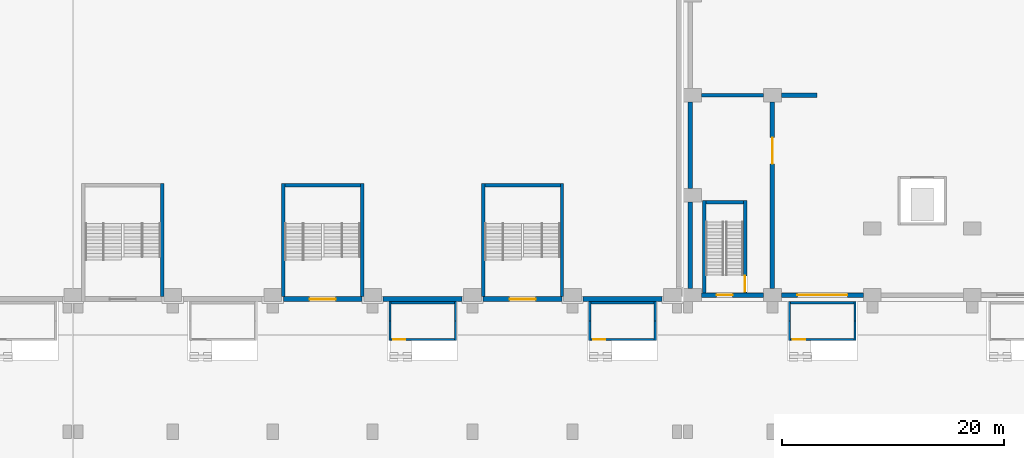
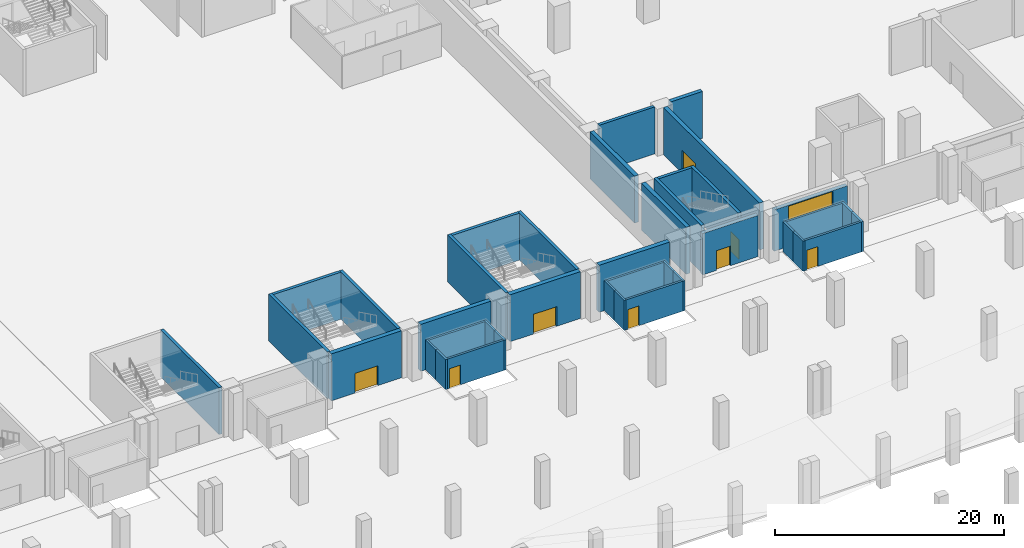
# One storey, part 38 of 77: 39 walls, 9 doors, 9 openings.
"""IFC4 building model written with IfcOpenShell, lengths in metres."""

from ifc_helpers import new_model, si_unit, direction, frame, frame_2d, origin, place, context, subcontext, project, spatial, rectangle, extrude, material, layer, layer_set, type_object, element, fill, save


model = new_model("IFC4")

# Units and contexts
model_context = context("Model", 3, precision=1e-05, world=origin(), true_north=direction((0.0, 1.0)))
body_context = subcontext(model_context, "Body", "Model", "MODEL_VIEW")
ifc_project = project(units=[si_unit("LENGTHUNIT", "METRE"), si_unit("AREAUNIT", "SQUARE_METRE"), si_unit("VOLUMEUNIT", "CUBIC_METRE"), si_unit("PLANEANGLEUNIT", "RADIAN"), si_unit("MASSUNIT", "GRAM", prefix="KILO")], contexts=[model_context])

# Site, building, storey
site_placement = place(None, origin())
site = spatial("IfcSite", under=ifc_project, at=site_placement, CompositionType="ELEMENT")
building_placement = place(site_placement, origin())
building = spatial("IfcBuilding", under=site, at=building_placement, Name="Aravalli Gate Trade Fair Centre", CompositionType="ELEMENT")
storey_placement = place(building_placement, origin())
storey = spatial("IfcBuildingStorey", under=building, at=storey_placement, Name="L00", CompositionType="ELEMENT", Elevation=0.0)

# Walls
ifc_material_1 = material(Name="Concrete M35", Category="concrete")
ifc_layer_1 = layer(ifc_material_1, 0.199951171875)
ifc_layer_set_1 = layer_set([ifc_layer_1], Name="Concrete M35")
wall_type_1 = type_object("IfcWallType", Name="Basement stair enclosure wall 200", PredefinedType="SOLIDWALL", material=ifc_layer_set_1)
for number, where, z_axis, x_axis, name in (
    (1, (79.550048828125, 45.39990234375, 0.0), (0.0, 0.0, 1.0), (0.0, -1.0, 0.0), "Basement stair S4 enclosure wall L1 L00"),
    (2, (79.550048828125, 43.64990234375, 0.0), (0.0, 0.0, 1.0), (0.0, -1.0, 0.0), "Basement stair S4 enclosure wall L2 L00"),
    (3, (85.449951171875, 45.39990234375, 0.0), (0.0, 0.0, 1.0), (0.0, -1.0, 0.0), "Basement stair S4 enclosure wall R1 L00"),
    (4, (85.449951171875, 43.64990234375, 0.0), (0.0, 0.0, 1.0), (0.0, -1.0, 0.0), "Basement stair S4 enclosure wall R2 L00"),
):
    element("IfcWall", number, at=place(storey_placement, frame(where, z_axis=z_axis, x_axis=x_axis)), inside=storey, type_object=wall_type_1, Name=name, PredefinedType="SOLIDWALL", context=body_context, shape_type="SweptSolid", body=[
        extrude(rectangle(XDim=1.75, YDim=0.199951171875, at=frame_2d((0.875, 0.0))), origin(), (0.0, 0.0, 1.0), 3.199951171875),
    ])

# Wall, opening, door
wall_1_placement = place(storey_placement, frame((79.64990234375, 42.0, 0.0), z_axis=(0.0, 0.0, 1.0), x_axis=(1.0, 0.0, 0.0)))
wall_1 = element("IfcWall", 5, at=wall_1_placement, inside=storey, type_object=wall_type_1, Name="Basement stair S4 enclosure wall O L00", PredefinedType="SOLIDWALL", context=body_context, shape_type="SweptSolid", body=[
    extrude(rectangle(XDim=5.7001953125, YDim=0.199951171875, at=frame_2d((2.85009765625, 0.0))), origin(), (0.0, 0.0, 1.0), 3.199951171875),
])
opening_1_placement = place(wall_1_placement, frame((0.199951171875, 0.0, 0.0)))
opening_1 = element("IfcOpeningElement", 6, at=opening_1_placement, cuts=wall_1, Name="Opening B-L00-10", PredefinedType="OPENING", context=body_context, shape_type="SweptSolid", body=[
    extrude(rectangle(XDim=1.10009765625, YDim=2.10009765625, at=frame_2d((0.550048828125, 1.050048828125))), frame((0.0, 0.10986328125, 0.0), z_axis=(0.0, -1.0, 0.0), x_axis=(1.0, 0.0, 0.0)), (0.0, 0.0, 1.0), 0.219970703125),
])
ifc_material_2 = material(Name="Steel", Category="steel")
door_type_1 = type_object("IfcDoorType", Name="Basement stair door 1100x2100", OperationType="SINGLE_SWING_LEFT", PredefinedType="DOOR", material=ifc_material_2)
door_1_placement = place(opening_1_placement, frame((1.10009765625, 0.0, 0.0), z_axis=(0.0, 0.0, 1.0), x_axis=(-1.0, 0.0, 0.0)))
door_1 = element("IfcDoor", 7, at=door_1_placement, inside=storey, type_object=door_type_1, Name="Basement stair S4 discharge door", OperationType="SINGLE_SWING_LEFT", OverallHeight=2.10009765625, OverallWidth=1.10009765625, PredefinedType="DOOR", context=body_context, shape_type="SweptSolid", body=[
    extrude(rectangle(XDim=1.10009765625, YDim=2.10009765625, at=frame_2d((0.550048828125, 1.050048828125))), frame((0.0, 0.02490234375, 0.0), z_axis=(0.0, -1.0, 0.0), x_axis=(1.0, 0.0, 0.0)), (0.0, 0.0, 1.0), 0.050048828125),
])
fill(opening_1, door_1)

# Walls
wall_2_placement = place(storey_placement, frame((79.64990234375, 45.300048828125, 0.0), z_axis=(0.0, 0.0, 1.0), x_axis=(1.0, 0.0, 0.0)))
element("IfcWall", 8, at=wall_2_placement, inside=storey, type_object=wall_type_1, Name="Basement stair S4 enclosure wall I L00", PredefinedType="SOLIDWALL", context=body_context, shape_type="SweptSolid", body=[
    extrude(rectangle(XDim=5.7001953125, YDim=0.199951171875, at=frame_2d((2.85009765625, 0.0))), origin(), (0.0, 0.0, 1.0), 3.199951171875),
])
for number, where, z_axis, x_axis, name in (
    (9, (97.550048828125, 45.39990234375, 0.0), (0.0, 0.0, 1.0), (0.0, -1.0, 0.0), "Basement stair S5 enclosure wall L1 L00"),
    (10, (97.550048828125, 43.64990234375, 0.0), (0.0, 0.0, 1.0), (0.0, -1.0, 0.0), "Basement stair S5 enclosure wall L2 L00"),
    (11, (103.449951171875, 45.39990234375, 0.0), (0.0, 0.0, 1.0), (0.0, -1.0, 0.0), "Basement stair S5 enclosure wall R1 L00"),
    (12, (103.449951171875, 43.64990234375, 0.0), (0.0, 0.0, 1.0), (0.0, -1.0, 0.0), "Basement stair S5 enclosure wall R2 L00"),
):
    element("IfcWall", number, at=place(storey_placement, frame(where, z_axis=z_axis, x_axis=x_axis)), inside=storey, type_object=wall_type_1, Name=name, PredefinedType="SOLIDWALL", context=body_context, shape_type="SweptSolid", body=[
        extrude(rectangle(XDim=1.75, YDim=0.199951171875, at=frame_2d((0.875, 0.0))), origin(), (0.0, 0.0, 1.0), 3.199951171875),
    ])

# Wall, opening, door
wall_3_placement = place(storey_placement, frame((97.64990234375, 42.0, 0.0), z_axis=(0.0, 0.0, 1.0), x_axis=(1.0, 0.0, 0.0)))
wall_3 = element("IfcWall", 13, at=wall_3_placement, inside=storey, type_object=wall_type_1, Name="Basement stair S5 enclosure wall O L00", PredefinedType="SOLIDWALL", context=body_context, shape_type="SweptSolid", body=[
    extrude(rectangle(XDim=5.7001953125, YDim=0.199951171875, at=frame_2d((2.85009765625, 0.0))), origin(), (0.0, 0.0, 1.0), 3.199951171875),
])
opening_2_placement = place(wall_3_placement, frame((0.199951171875, 0.0, 0.0)))
opening_2 = element("IfcOpeningElement", 14, at=opening_2_placement, cuts=wall_3, Name="Opening B-L00-11", PredefinedType="OPENING", context=body_context, shape_type="SweptSolid", body=[
    extrude(rectangle(XDim=1.10009765625, YDim=2.10009765625, at=frame_2d((0.550048828125, 1.050048828125))), frame((0.0, 0.10986328125, 0.0), z_axis=(0.0, -1.0, 0.0), x_axis=(1.0, 0.0, 0.0)), (0.0, 0.0, 1.0), 0.219970703125),
])
door_2_placement = place(opening_2_placement, frame((1.10009765625, 0.0, 0.0), z_axis=(0.0, 0.0, 1.0), x_axis=(-1.0, 0.0, 0.0)))
door_2 = element("IfcDoor", 15, at=door_2_placement, inside=storey, type_object=door_type_1, Name="Basement stair S5 discharge door", OperationType="SINGLE_SWING_RIGHT", OverallHeight=2.10009765625, OverallWidth=1.10009765625, PredefinedType="DOOR", context=body_context, shape_type="SweptSolid", body=[
    extrude(rectangle(XDim=1.10009765625, YDim=2.10009765625, at=frame_2d((0.550048828125, 1.050048828125))), frame((0.0, 0.02490234375, 0.0), z_axis=(0.0, -1.0, 0.0), x_axis=(1.0, 0.0, 0.0)), (0.0, 0.0, 1.0), 0.050048828125),
])
fill(opening_2, door_2)

# Walls
wall_4_placement = place(storey_placement, frame((97.64990234375, 45.300048828125, 0.0), z_axis=(0.0, 0.0, 1.0), x_axis=(1.0, 0.0, 0.0)))
element("IfcWall", 16, at=wall_4_placement, inside=storey, type_object=wall_type_1, Name="Basement stair S5 enclosure wall I L00", PredefinedType="SOLIDWALL", context=body_context, shape_type="SweptSolid", body=[
    extrude(rectangle(XDim=5.7001953125, YDim=0.199951171875, at=frame_2d((2.85009765625, 0.0))), origin(), (0.0, 0.0, 1.0), 3.199951171875),
])
for number, where, z_axis, x_axis, name in (
    (17, (115.550048828125, 45.39990234375, 0.0), (0.0, 0.0, 1.0), (0.0, -1.0, 0.0), "Basement stair S6 enclosure wall L1 L00"),
    (18, (115.550048828125, 43.64990234375, 0.0), (0.0, 0.0, 1.0), (0.0, -1.0, 0.0), "Basement stair S6 enclosure wall L2 L00"),
    (19, (121.449951171875, 45.39990234375, 0.0), (0.0, 0.0, 1.0), (0.0, -1.0, 0.0), "Basement stair S6 enclosure wall R1 L00"),
    (20, (121.449951171875, 43.64990234375, 0.0), (0.0, 0.0, 1.0), (0.0, -1.0, 0.0), "Basement stair S6 enclosure wall R2 L00"),
):
    element("IfcWall", number, at=place(storey_placement, frame(where, z_axis=z_axis, x_axis=x_axis)), inside=storey, type_object=wall_type_1, Name=name, PredefinedType="SOLIDWALL", context=body_context, shape_type="SweptSolid", body=[
        extrude(rectangle(XDim=1.75, YDim=0.199951171875, at=frame_2d((0.875, 0.0))), origin(), (0.0, 0.0, 1.0), 3.199951171875),
    ])

# Wall, opening, door
wall_5_placement = place(storey_placement, frame((115.64990234375, 42.0, 0.0), z_axis=(0.0, 0.0, 1.0), x_axis=(1.0, 0.0, 0.0)))
wall_5 = element("IfcWall", 21, at=wall_5_placement, inside=storey, type_object=wall_type_1, Name="Basement stair S6 enclosure wall O L00", PredefinedType="SOLIDWALL", context=body_context, shape_type="SweptSolid", body=[
    extrude(rectangle(XDim=5.7001953125, YDim=0.199951171875, at=frame_2d((2.85009765625, 0.0))), origin(), (0.0, 0.0, 1.0), 3.199951171875),
])
opening_3_placement = place(wall_5_placement, frame((0.199951171875, 0.0, 0.0)))
opening_3 = element("IfcOpeningElement", 22, at=opening_3_placement, cuts=wall_5, Name="Opening B-L00-12", PredefinedType="OPENING", context=body_context, shape_type="SweptSolid", body=[
    extrude(rectangle(XDim=1.10009765625, YDim=2.10009765625, at=frame_2d((0.550048828125, 1.050048828125))), frame((0.0, 0.10986328125, 0.0), z_axis=(0.0, -1.0, 0.0), x_axis=(1.0, 0.0, 0.0)), (0.0, 0.0, 1.0), 0.219970703125),
])
door_3_placement = place(opening_3_placement, frame((1.10009765625, 0.0, 0.0), z_axis=(0.0, 0.0, 1.0), x_axis=(-1.0, 0.0, 0.0)))
door_3 = element("IfcDoor", 23, at=door_3_placement, inside=storey, type_object=door_type_1, Name="Basement stair S6 discharge door", OperationType="SINGLE_SWING_LEFT", OverallHeight=2.10009765625, OverallWidth=1.10009765625, PredefinedType="DOOR", context=body_context, shape_type="SweptSolid", body=[
    extrude(rectangle(XDim=1.10009765625, YDim=2.10009765625, at=frame_2d((0.550048828125, 1.050048828125))), frame((0.0, 0.02490234375, 0.0), z_axis=(0.0, -1.0, 0.0), x_axis=(1.0, 0.0, 0.0)), (0.0, 0.0, 1.0), 0.050048828125),
])
fill(opening_3, door_3)

# Walls
wall_6_placement = place(storey_placement, frame((115.64990234375, 45.300048828125, 0.0), z_axis=(0.0, 0.0, 1.0), x_axis=(1.0, 0.0, 0.0)))
element("IfcWall", 24, at=wall_6_placement, inside=storey, type_object=wall_type_1, Name="Basement stair S6 enclosure wall I L00", PredefinedType="SOLIDWALL", context=body_context, shape_type="SweptSolid", body=[
    extrude(rectangle(XDim=5.7001953125, YDim=0.199951171875, at=frame_2d((2.85009765625, 0.0))), origin(), (0.0, 0.0, 1.0), 3.199951171875),
])
ifc_material_3 = material(Name="Concrete M40", Category="concrete")
ifc_layer_2 = layer(ifc_material_3, 0.300048828125)
ifc_layer_set_2 = layer_set([ifc_layer_2], Name="Concrete M40")
wall_type_2 = type_object("IfcWallType", Name="Congress RC wall 300", PredefinedType="SHEAR", material=ifc_layer_set_2)
wall_7_placement = place(storey_placement, frame((107.60009765625, 64.0, 0.0), z_axis=(0.0, 0.0, 1.0), x_axis=(1.0, 0.0, 0.0)))
element("IfcWall", 25, at=wall_7_placement, inside=storey, type_object=wall_type_2, Name="Stage wing north wall W L00", PredefinedType="SHEAR", context=body_context, shape_type="SweptSolid", body=[
    extrude(rectangle(XDim=5.599853515625, YDim=0.300048828125, at=frame_2d((2.7998046875, 0.0))), origin(), (0.0, 0.0, 1.0), 5.0),
])
wall_8_placement = place(storey_placement, frame((107.85009765625, 46.199951171875, 0.0), z_axis=(0.0, 0.0, 1.0), x_axis=(0.0, 1.0, 0.0)))
element("IfcWall", 26, at=wall_8_placement, inside=storey, type_object=wall_type_2, Name="Stage Stair West wall W L00", PredefinedType="SHEAR", context=body_context, shape_type="SweptSolid", body=[
    extrude(rectangle(XDim=8.300048828125, YDim=0.300048828125, at=frame_2d((4.14990234375, 0.0))), origin(), (0.0, 0.0, 1.0), 5.0),
])

# Wall, opening, door
wall_9_placement = place(storey_placement, frame((111.550048828125, 46.199951171875, 0.0), z_axis=(0.0, 0.0, 1.0), x_axis=(0.0, 1.0, 0.0)))
wall_9 = element("IfcWall", 27, at=wall_9_placement, inside=storey, type_object=wall_type_2, Name="Stage Stair West wall E L00", PredefinedType="SHEAR", context=body_context, shape_type="SweptSolid", body=[
    extrude(rectangle(XDim=8.300048828125, YDim=0.300048828125, at=frame_2d((4.14990234375, 0.0))), origin(), (0.0, 0.0, 1.0), 5.0),
])
opening_4_placement = place(wall_9_placement, frame((0.0849609375, 0.0, 0.0)))
opening_4 = element("IfcOpeningElement", 28, at=opening_4_placement, cuts=wall_9, Name="Opening G-L00-13", PredefinedType="OPENING", context=body_context, shape_type="SweptSolid", body=[
    extrude(rectangle(XDim=1.449951171875, YDim=2.10009765625, at=frame_2d((0.72509765625, 1.050048828125))), frame((0.0, 0.159912109375, 0.0), z_axis=(0.0, -1.0, 0.0), x_axis=(1.0, 0.0, 0.0)), (0.0, 0.0, 1.0), 0.320068359375),
])
ifc_material_4 = material(Name="Steel, fire rated", Category="steel")
door_type_2 = type_object("IfcDoorType", Name="Congress fire door FD120 1450 x 2100", OperationType="SINGLE_SWING_LEFT", PredefinedType="DOOR", material=ifc_material_4)
door_4_placement = place(opening_4_placement, origin())
door_4 = element("IfcDoor", 29, at=door_4_placement, inside=storey, type_object=door_type_2, Name="Stage Stair West door L00", OperationType="SINGLE_SWING_LEFT", OverallHeight=2.10009765625, OverallWidth=1.449951171875, PredefinedType="DOOR", context=body_context, shape_type="SweptSolid", body=[
    extrude(rectangle(XDim=1.449951171875, YDim=2.10009765625, at=frame_2d((0.72509765625, 1.050048828125))), frame((0.0, 0.02490234375, 0.0), z_axis=(0.0, -1.0, 0.0), x_axis=(1.0, 0.0, 0.0)), (0.0, 0.0, 1.0), 0.050048828125),
])
fill(opening_4, door_4)

# Wall
wall_10_placement = place(storey_placement, frame((108.0, 54.35009765625, 0.0), z_axis=(0.0, 0.0, 1.0), x_axis=(1.0, 0.0, 0.0)))
element("IfcWall", 30, at=wall_10_placement, inside=storey, type_object=wall_type_2, Name="Stage Stair West wall N L00", PredefinedType="SHEAR", context=body_context, shape_type="SweptSolid", body=[
    extrude(rectangle(XDim=3.39990234375, YDim=0.300048828125, at=frame_2d((1.699951171875, 0.0))), origin(), (0.0, 0.0, 1.0), 5.0),
])

# Wall, opening, door
ifc_layer_3 = layer(ifc_material_3, 0.39990234375)
ifc_layer_set_3 = layer_set([ifc_layer_3], Name="Concrete M40")
wall_type_3 = type_object("IfcWallType", Name="Congress RC wall 400", PredefinedType="SHEAR", material=ifc_layer_set_3)
wall_11_placement = place(storey_placement, frame((114.0, 46.60009765625, 0.0), z_axis=(0.0, 0.0, 1.0), x_axis=(0.0, 1.0, 0.0)))
wall_11 = element("IfcWall", 31, at=wall_11_placement, inside=storey, type_object=wall_type_3, Name="Stage house wall line 114 L00", PredefinedType="SHEAR", context=body_context, shape_type="SweptSolid", body=[
    extrude(rectangle(XDim=16.7998046875, YDim=0.39990234375, at=frame_2d((8.39990234375, 0.0))), origin(), (0.0, 0.0, 1.0), 5.0),
])
opening_5_placement = place(wall_11_placement, frame((11.22509765625, 0.0, 0.0)))
opening_5 = element("IfcOpeningElement", 32, at=opening_5_placement, cuts=wall_11, Name="Opening G-L00-29", PredefinedType="OPENING", context=body_context, shape_type="SweptSolid", body=[
    extrude(rectangle(XDim=2.35009765625, YDim=2.39990234375, at=frame_2d((1.175048828125, 1.199951171875))), frame((0.0, 0.2099609375, 0.0), z_axis=(0.0, -1.0, 0.0), x_axis=(1.0, 0.0, 0.0)), (0.0, 0.0, 1.0), 0.419921875),
])
door_type_3 = type_object("IfcDoorType", Name="Congress fire door FD120 2350 x 2400 double door single swing", OperationType="DOUBLE_DOOR_SINGLE_SWING", PredefinedType="DOOR", material=ifc_material_4)
door_5_placement = place(opening_5_placement, origin())
door_5 = element("IfcDoor", 33, at=door_5_placement, inside=storey, type_object=door_type_3, Name="Stage door W", OperationType="DOUBLE_DOOR_SINGLE_SWING", OverallHeight=2.39990234375, OverallWidth=2.35009765625, PredefinedType="DOOR", context=body_context, shape_type="SweptSolid", body=[
    extrude(rectangle(XDim=2.35009765625, YDim=2.39990234375, at=frame_2d((1.175048828125, 1.199951171875))), frame((0.0, 0.02490234375, 0.0), z_axis=(0.0, -1.0, 0.0), x_axis=(1.0, 0.0, 0.0)), (0.0, 0.0, 1.0), 0.050048828125),
])
fill(opening_5, door_5)

# Walls
wall_12_placement = place(storey_placement, frame((114.800048828125, 64.0, 0.0), z_axis=(0.0, 0.0, 1.0), x_axis=(1.0, 0.0, 0.0)))
element("IfcWall", 34, at=wall_12_placement, inside=storey, type_object=wall_type_3, Name="Proscenium wall W L00", PredefinedType="SHEAR", context=body_context, shape_type="SweptSolid", body=[
    extrude(rectangle(XDim=3.199951171875, YDim=0.39990234375, at=frame_2d((1.60009765625, 0.0))), origin(), (0.0, 0.0, 1.0), 5.0),
])
ifc_layer_4 = layer(ifc_material_3, 0.25, Name="Structural wall")
ifc_material_5 = material(Name="Ventilated air cavity")
ifc_layer_5 = layer(ifc_material_5, 0.050048828125, ventilated=True, Name="Ventilated cavity")
ifc_material_6 = material(Name="Terracotta rainscreen", Category="masonry")
ifc_layer_6 = layer(ifc_material_6, 0.10009765625, Name="Rainscreen cladding")
ifc_layer_set_4 = layer_set([ifc_layer_4, ifc_layer_5, ifc_layer_6], Name="Congress external wall 400")
wall_type_4 = type_object("IfcWallType", Name="Congress external wall 400", PredefinedType="SOLIDWALL", material=ifc_layer_set_4)
for number, where, z_axis, x_axis, name in (
    (35, (106.60009765625, 46.60009765625, 0.0), (0.0, 0.0, 1.0), (0.0, 1.0, 0.0), "West wall L00 bay 1"),
    (36, (106.60009765625, 55.60009765625, 0.0), (0.0, 0.0, 1.0), (0.0, 1.0, 0.0), "West wall L00 bay 2"),
):
    element("IfcWall", number, at=place(storey_placement, frame(where, z_axis=z_axis, x_axis=x_axis)), inside=storey, type_object=wall_type_4, Name=name, PredefinedType="SOLIDWALL", context=body_context, shape_type="SweptSolid", body=[
        extrude(rectangle(XDim=7.7998046875, YDim=0.39990234375, at=frame_2d((3.89990234375, 0.0))), origin(), (0.0, 0.0, 1.0), 5.0),
    ])

# Wall, opening, door
wall_13_placement = place(storey_placement, frame((107.60009765625, 46.0, 0.0), z_axis=(0.0, 0.0, 1.0), x_axis=(1.0, 0.0, 0.0)))
wall_13 = element("IfcWall", 37, at=wall_13_placement, inside=storey, type_object=wall_type_4, Name="South wall L00 bay 1", PredefinedType="SOLIDWALL", context=body_context, shape_type="SweptSolid", body=[
    extrude(rectangle(XDim=5.599853515625, YDim=0.39990234375, at=frame_2d((2.7998046875, 0.0))), origin(), (0.0, 0.0, 1.0), 4.39990234375),
])
opening_6_placement = place(wall_13_placement, frame((1.375, 0.0, 0.0)))
opening_6 = element("IfcOpeningElement", 38, at=opening_6_placement, cuts=wall_13, Name="Opening G-L00-03", PredefinedType="OPENING", context=body_context, shape_type="SweptSolid", body=[
    extrude(rectangle(XDim=1.449951171875, YDim=2.10009765625, at=frame_2d((0.72509765625, 1.050048828125))), frame((0.0, 0.2099609375, 0.0), z_axis=(0.0, -1.0, 0.0), x_axis=(1.0, 0.0, 0.0)), (0.0, 0.0, 1.0), 0.419921875),
])
door_6_placement = place(opening_6_placement, frame((1.449951171875, 0.0, 0.0), z_axis=(0.0, 0.0, 1.0), x_axis=(-1.0, 0.0, 0.0)))
door_6 = element("IfcDoor", 39, at=door_6_placement, inside=storey, type_object=door_type_2, Name="Stage Stair West Exit Door", OperationType="SINGLE_SWING_RIGHT", OverallHeight=2.10009765625, OverallWidth=1.449951171875, PredefinedType="DOOR", context=body_context, shape_type="SweptSolid", body=[
    extrude(rectangle(XDim=1.449951171875, YDim=2.10009765625, at=frame_2d((0.72509765625, 1.050048828125))), frame((0.0, 0.02490234375, 0.0), z_axis=(0.0, -1.0, 0.0), x_axis=(1.0, 0.0, 0.0)), (0.0, 0.0, 1.0), 0.050048828125),
])
fill(opening_6, door_6)

wall_14_placement = place(storey_placement, frame((114.800048828125, 46.0, 0.0), z_axis=(0.0, 0.0, 1.0), x_axis=(1.0, 0.0, 0.0)))
wall_14 = element("IfcWall", 40, at=wall_14_placement, inside=storey, type_object=wall_type_4, Name="South wall L00 bay 2", PredefinedType="SOLIDWALL", context=body_context, shape_type="SweptSolid", body=[
    extrude(rectangle(XDim=7.39990234375, YDim=0.39990234375, at=frame_2d((3.699951171875, 0.0))), origin(), (0.0, 0.0, 1.0), 4.39990234375),
])
opening_7_placement = place(wall_14_placement, frame((1.449951171875, 0.0, 0.0)))
opening_7 = element("IfcOpeningElement", 41, at=opening_7_placement, cuts=wall_14, Name="Opening G-L00-01", PredefinedType="OPENING", context=body_context, shape_type="SweptSolid", body=[
    extrude(rectangle(XDim=4.5, YDim=4.300048828125, at=frame_2d((2.25, 2.14990234375))), frame((0.0, 0.2099609375, 0.0), z_axis=(0.0, -1.0, 0.0), x_axis=(1.0, 0.0, 0.0)), (0.0, 0.0, 1.0), 0.419921875),
])
ifc_material_7 = material(Name="Timber and steel", Category="steel")
door_type_4 = type_object("IfcDoorType", Name="Congress rolling shutter 4500 x 4300 rollingup", OperationType="ROLLINGUP", PredefinedType="DOOR", material=ifc_material_7)
door_7_placement = place(opening_7_placement, frame((4.5, 0.0, 0.0), z_axis=(0.0, 0.0, 1.0), x_axis=(-1.0, 0.0, 0.0)))
door_7 = element("IfcDoor", 42, at=door_7_placement, inside=storey, type_object=door_type_4, Name="Stage dock shutter 1", OperationType="ROLLINGUP", OverallHeight=4.300048828125, OverallWidth=4.5, PredefinedType="DOOR", context=body_context, shape_type="SweptSolid", body=[
    extrude(rectangle(XDim=4.5, YDim=4.300048828125, at=frame_2d((2.25, 2.14990234375))), frame((0.0, 0.02490234375, 0.0), z_axis=(0.0, -1.0, 0.0), x_axis=(1.0, 0.0, 0.0)), (0.0, 0.0, 1.0), 0.050048828125),
])
fill(opening_7, door_7)

ifc_layer_7 = layer(ifc_material_3, 0.25, Name="Structural wall")
ifc_layer_8 = layer(ifc_material_5, 0.10009765625, ventilated=True, Name="Ventilated cavity")
ifc_material_8 = material(Name="Dholpur sandstone", Category="masonry")
ifc_layer_9 = layer(ifc_material_8, 0.10009765625, Name="Stone facing")
ifc_layer_set_5 = layer_set([ifc_layer_7, ifc_layer_8, ifc_layer_9], Name="Hall external wall 450 stone base")
wall_type_5 = type_object("IfcWallType", Name="Hall external wall 450 stone base", PredefinedType="SOLIDWALL", material=ifc_layer_set_5)
wall_15_placement = place(storey_placement, frame((69.949951171875, 45.625, 0.0), z_axis=(0.0, 0.0, 1.0), x_axis=(1.0, 0.0, 0.0)))
wall_15 = element("IfcWall", 43, at=wall_15_placement, inside=storey, type_object=wall_type_5, Name="Hall south wall bay 8 L00", PredefinedType="SOLIDWALL", context=body_context, shape_type="SweptSolid", body=[
    extrude(rectangle(XDim=7.10009765625, YDim=0.449951171875, at=frame_2d((3.550048828125, 0.0))), origin(), (0.0, 0.0, 1.0), 5.0),
])
opening_8_placement = place(wall_15_placement, frame((2.375, 0.0, 0.0)))
opening_8 = element("IfcOpeningElement", 44, at=opening_8_placement, cuts=wall_15, Name="Opening H-L00-16", PredefinedType="OPENING", context=body_context, shape_type="SweptSolid", body=[
    extrude(rectangle(XDim=2.35009765625, YDim=2.10009765625, at=frame_2d((1.175048828125, 1.050048828125))), frame((0.0, 0.23486328125, 0.0), z_axis=(0.0, -1.0, 0.0), x_axis=(1.0, 0.0, 0.0)), (0.0, 0.0, 1.0), 0.469970703125),
])
door_type_5 = type_object("IfcDoorType", Name="Stair exit double door FD120", OperationType="DOUBLE_DOOR_SINGLE_SWING", PredefinedType="DOOR", material=ifc_material_2)
door_8_placement = place(opening_8_placement, frame((2.35009765625, 0.0, 0.0), z_axis=(0.0, 0.0, 1.0), x_axis=(-1.0, 0.0, 0.0)))
door_8 = element("IfcDoor", 45, at=door_8_placement, inside=storey, type_object=door_type_5, Name="Exit door ST-S08 L00", OperationType="DOUBLE_DOOR_SINGLE_SWING", OverallHeight=2.10009765625, OverallWidth=2.35009765625, PredefinedType="DOOR", context=body_context, shape_type="SweptSolid", body=[
    extrude(rectangle(XDim=2.35009765625, YDim=2.10009765625, at=frame_2d((1.175048828125, 1.050048828125))), frame((0.0, 0.02490234375, 0.0), z_axis=(0.0, -1.0, 0.0), x_axis=(1.0, 0.0, 0.0)), (0.0, 0.0, 1.0), 0.050048828125),
])
fill(opening_8, door_8)

# Wall
wall_16_placement = place(storey_placement, frame((78.949951171875, 45.625, 0.0), z_axis=(0.0, 0.0, 1.0), x_axis=(1.0, 0.0, 0.0)))
element("IfcWall", 46, at=wall_16_placement, inside=storey, type_object=wall_type_5, Name="Hall south wall bay 9 L00", PredefinedType="SOLIDWALL", context=body_context, shape_type="SweptSolid", body=[
    extrude(rectangle(XDim=7.10009765625, YDim=0.449951171875, at=frame_2d((3.550048828125, 0.0))), origin(), (0.0, 0.0, 1.0), 5.0),
])

# Wall, opening, door
wall_17_placement = place(storey_placement, frame((87.949951171875, 45.625, 0.0), z_axis=(0.0, 0.0, 1.0), x_axis=(1.0, 0.0, 0.0)))
wall_17 = element("IfcWall", 47, at=wall_17_placement, inside=storey, type_object=wall_type_5, Name="Hall south wall bay 10 L00", PredefinedType="SOLIDWALL", context=body_context, shape_type="SweptSolid", body=[
    extrude(rectangle(XDim=7.10009765625, YDim=0.449951171875, at=frame_2d((3.550048828125, 0.0))), origin(), (0.0, 0.0, 1.0), 5.0),
])
opening_9_placement = place(wall_17_placement, frame((2.375, 0.0, 0.0)))
opening_9 = element("IfcOpeningElement", 48, at=opening_9_placement, cuts=wall_17, Name="Opening H-L00-20", PredefinedType="OPENING", context=body_context, shape_type="SweptSolid", body=[
    extrude(rectangle(XDim=2.35009765625, YDim=2.10009765625, at=frame_2d((1.175048828125, 1.050048828125))), frame((0.0, 0.23486328125, 0.0), z_axis=(0.0, -1.0, 0.0), x_axis=(1.0, 0.0, 0.0)), (0.0, 0.0, 1.0), 0.469970703125),
])
door_9_placement = place(opening_9_placement, frame((2.35009765625, 0.0, 0.0), z_axis=(0.0, 0.0, 1.0), x_axis=(-1.0, 0.0, 0.0)))
door_9 = element("IfcDoor", 49, at=door_9_placement, inside=storey, type_object=door_type_5, Name="Exit door ST-S10 L00", OperationType="DOUBLE_DOOR_SINGLE_SWING", OverallHeight=2.10009765625, OverallWidth=2.35009765625, PredefinedType="DOOR", context=body_context, shape_type="SweptSolid", body=[
    extrude(rectangle(XDim=2.35009765625, YDim=2.10009765625, at=frame_2d((1.175048828125, 1.050048828125))), frame((0.0, 0.02490234375, 0.0), z_axis=(0.0, -1.0, 0.0), x_axis=(1.0, 0.0, 0.0)), (0.0, 0.0, 1.0), 0.050048828125),
])
fill(opening_9, door_9)

# Walls
wall_18_placement = place(storey_placement, frame((96.949951171875, 45.625, 0.0), z_axis=(0.0, 0.0, 1.0), x_axis=(1.0, 0.0, 0.0)))
element("IfcWall", 50, at=wall_18_placement, inside=storey, type_object=wall_type_5, Name="Hall south wall bay 11 L00", PredefinedType="SOLIDWALL", context=body_context, shape_type="SweptSolid", body=[
    extrude(rectangle(XDim=7.10009765625, YDim=0.449951171875, at=frame_2d((3.550048828125, 0.0))), origin(), (0.0, 0.0, 1.0), 5.0),
])
ifc_layer_10 = layer(ifc_material_3, 0.300048828125)
ifc_layer_set_6 = layer_set([ifc_layer_10], Name="Concrete M40")
wall_type_6 = type_object("IfcWallType", Name="Stair tower wall RC 300", PredefinedType="SHEAR", material=ifc_layer_set_6)
for number, where, z_axis, x_axis, name in (
    (51, (59.050048828125, 45.85009765625, 0.0), (0.0, 0.0, 1.0), (0.0, 1.0, 0.0), "Stair tower S06 wall E L00"),
    (52, (69.949951171875, 45.85009765625, 0.0), (0.0, 0.0, 1.0), (0.0, 1.0, 0.0), "Stair tower S08 wall W L00"),
    (53, (77.050048828125, 45.85009765625, 0.0), (0.0, 0.0, 1.0), (0.0, 1.0, 0.0), "Stair tower S08 wall E L00"),
):
    element("IfcWall", number, at=place(storey_placement, frame(where, z_axis=z_axis, x_axis=x_axis)), inside=storey, type_object=wall_type_6, Name=name, PredefinedType="SHEAR", context=body_context, shape_type="SweptSolid", body=[
        extrude(rectangle(XDim=10.199951171875, YDim=0.300048828125, at=frame_2d((5.10009765625, 0.0))), origin(), (0.0, 0.0, 1.0), 5.0),
    ])
wall_19_placement = place(storey_placement, frame((70.10009765625, 55.89990234375, 0.0), z_axis=(0.0, 0.0, 1.0), x_axis=(1.0, 0.0, 0.0)))
element("IfcWall", 54, at=wall_19_placement, inside=storey, type_object=wall_type_6, Name="Stair tower S08 wall F L00", PredefinedType="SHEAR", context=body_context, shape_type="SweptSolid", body=[
    extrude(rectangle(XDim=6.7998046875, YDim=0.300048828125, at=frame_2d((3.39990234375, 0.0))), origin(), (0.0, 0.0, 1.0), 5.0),
])
for number, where, z_axis, x_axis, name in (
    (55, (87.949951171875, 45.85009765625, 0.0), (0.0, 0.0, 1.0), (0.0, 1.0, 0.0), "Stair tower S10 wall W L00"),
    (56, (95.050048828125, 45.85009765625, 0.0), (0.0, 0.0, 1.0), (0.0, 1.0, 0.0), "Stair tower S10 wall E L00"),
):
    element("IfcWall", number, at=place(storey_placement, frame(where, z_axis=z_axis, x_axis=x_axis)), inside=storey, type_object=wall_type_6, Name=name, PredefinedType="SHEAR", context=body_context, shape_type="SweptSolid", body=[
        extrude(rectangle(XDim=10.199951171875, YDim=0.300048828125, at=frame_2d((5.10009765625, 0.0))), origin(), (0.0, 0.0, 1.0), 5.0),
    ])
wall_20_placement = place(storey_placement, frame((88.10009765625, 55.89990234375, 0.0), z_axis=(0.0, 0.0, 1.0), x_axis=(1.0, 0.0, 0.0)))
element("IfcWall", 57, at=wall_20_placement, inside=storey, type_object=wall_type_6, Name="Stair tower S10 wall F L00", PredefinedType="SHEAR", context=body_context, shape_type="SweptSolid", body=[
    extrude(rectangle(XDim=6.7998046875, YDim=0.300048828125, at=frame_2d((3.39990234375, 0.0))), origin(), (0.0, 0.0, 1.0), 5.0),
])

save(model, "model.ifc")
